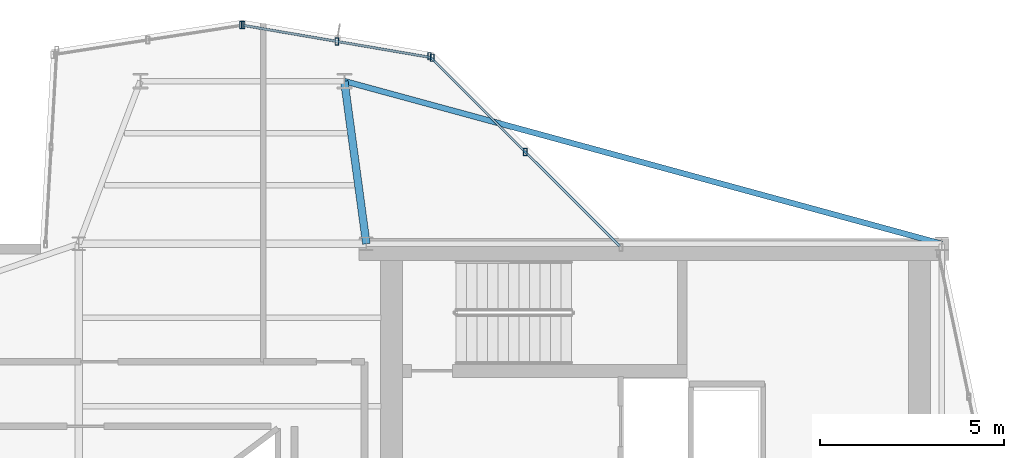
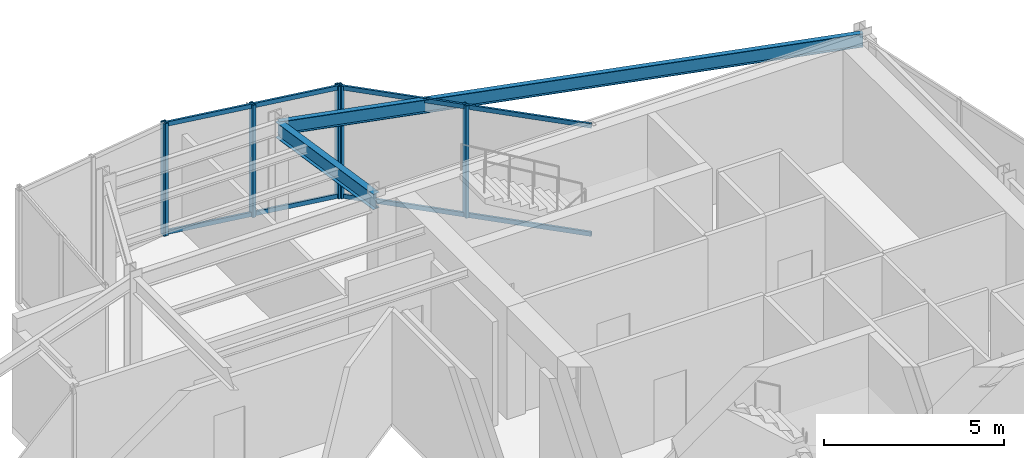
# One storey, part 6 of 13: 10 members, 2 beams, 3 elements without a shape of their own.
"""IFC4 building model written with IfcOpenShell, lengths in metres."""

from ifc_helpers import new_model, si_unit, direction, frame, origin, origin_2d, place, context, subcontext, project, spatial, hollow_rectangle, i_section, extrude, material, layer, layer_set, material_profile, profile_set, type_object, element, aggregate, save


model = new_model("IFC4")

# Units and contexts
model_context = context("Model", 3, precision=1e-05, world=origin(), true_north=direction((0.0, 1.0)))
body_context = subcontext(model_context, "Body", "Model", "MODEL_VIEW")
ifc_project = project(units=[si_unit("LENGTHUNIT", "METRE"), si_unit("AREAUNIT", "SQUARE_METRE"), si_unit("VOLUMEUNIT", "CUBIC_METRE"), si_unit("PLANEANGLEUNIT", "RADIAN"), si_unit("MASSUNIT", "GRAM", prefix="KILO")], contexts=[model_context])

# Site, building, storey
site_placement = place(None, origin())
site = spatial("IfcSite", under=ifc_project, at=site_placement, CompositionType="ELEMENT")
building_placement = place(site_placement, origin())
building = spatial("IfcBuilding", under=site, at=building_placement, Name="Veymaron Broadcast Tower", CompositionType="ELEMENT")
storey_placement = place(building_placement, frame((0.0, 0.0, 303.300048828125)))
storey = spatial("IfcBuildingStorey", under=building, at=storey_placement, Name="L71", CompositionType="ELEMENT", Elevation=303.300048828125)

# Beams
ifc_material_1 = material(Name="Structural steel ASTM A992 Gr 50", Category="steel")
ifc_material_profile_1 = material_profile(ifc_material_1, i_section(OverallWidth=0.208984375, OverallDepth=0.528076171875, WebThickness=0.009521484375, FlangeThickness=0.01318359375, at=origin_2d()), Name="W530X82")
ifc_profile_set_1 = profile_set([ifc_material_profile_1], Name="Structural steel ASTM A992 Gr 50")
beam_type_1 = type_object("IfcBeamType", Name="BM-FG4", PredefinedType="BEAM", material=ifc_profile_set_1)
beam_1_placement = place(storey_placement, frame((39.0, 32.0, 3.5458984375), z_axis=(-0.134286101992, 0.990942603187, 0.0), x_axis=(-0.990942603187, -0.134286101992, 0.0)))
element("IfcBeam", 1, at=beam_1_placement, inside=storey, type_object=beam_type_1, Name="L71 primary structural floor girder", PredefinedType="BEAM", context=body_context, shape_type="SweptSolid", body=[
    extrude(i_section(OverallWidth=0.208984375, OverallDepth=0.528076171875, WebThickness=0.009521484375, FlangeThickness=0.01318359375, at=origin_2d()), origin(), (0.0, 0.0, 1.0), 4.452392578125),
])
ifc_material_profile_2 = material_profile(ifc_material_1, i_section(OverallWidth=0.154052734375, OverallDepth=0.458984375, WebThickness=0.009033203125, FlangeThickness=0.015380859375, at=origin_2d()), Name="W460X68")
ifc_profile_set_2 = profile_set([ifc_material_profile_2], Name="Structural steel ASTM A992 Gr 50")
beam_type_2 = type_object("IfcBeamType", Name="BM-SP2", PredefinedType="SPANDREL", material=ifc_profile_set_2)
beam_2_placement = place(storey_placement, frame((54.60009765625, 32.0, 3.58056640625), z_axis=(-0.964847335687, 0.262810994477, 0.0), x_axis=(-0.262810994477, -0.964847335687, 0.0)))
element("IfcBeam", 2, at=beam_2_placement, inside=storey, type_object=beam_type_2, Name="L71 primary structural floor girder", PredefinedType="SPANDREL", context=body_context, shape_type="SweptSolid", body=[
    extrude(i_section(OverallWidth=0.154052734375, OverallDepth=0.458984375, WebThickness=0.009033203125, FlangeThickness=0.015380859375, at=origin_2d()), origin(), (0.0, 0.0, 1.0), 16.7880859375),
])

# Curtain wall, members
ifc_material_2 = material(Name="Anodised aluminium AA 6063-T6 and laminated low-E dark glass", Category="aluminium")
ifc_layer = layer(ifc_material_2, 0.179931640625)
ifc_layer_set = layer_set([ifc_layer], Name="Anodised aluminium AA 6063-T6 and laminated low-E dark glass")
curtain_wall_type = type_object("IfcCurtainWallType", Name="CW-SYS-06", PredefinedType="NOTDEFINED", material=ifc_layer_set)
curtain_wall_1_placement = place(storey_placement, origin())
curtain_wall_1 = element("IfcCurtainWall", 3, at=curtain_wall_1_placement, inside=storey, type_object=curtain_wall_type, Name="L71 dark-glass curtain wall CW-L71-E5-1", PredefinedType="NOTDEFINED")
ifc_material_3 = material(Name="Anodised aluminium AA 6063-T6", Category="aluminium")
ifc_material_profile_3 = material_profile(ifc_material_3, hollow_rectangle(XDim=0.10009765625, YDim=0.199951171875, WallThickness=0.010009765625, at=origin_2d()), Name="RHS200X100X10")
ifc_profile_set_3 = profile_set([ifc_material_profile_3], Name="Anodised aluminium AA 6063-T6")
member_type_1 = type_object("IfcMemberType", Name="CW-MUL-01", PredefinedType="MULLION", material=ifc_profile_set_3)
member_1_placement = place(storey_placement, frame((43.3056640625, 34.493408203125, 0.0), z_axis=(0.0, 0.0, 1.0), x_axis=(1.0, 0.0, 0.0)))
member_1 = element("IfcMember", 4, at=member_1_placement, type_object=member_type_1, Name="CW-L71-E5-1 mullion 1", PredefinedType="MULLION", context=body_context, shape_type="SweptSolid", body=[
    extrude(hollow_rectangle(XDim=0.10009765625, YDim=0.199951171875, WallThickness=0.010009765625, at=origin_2d()), origin(), (0.0, 0.0, 1.0), 3.81005859375),
])
member_2_placement = place(storey_placement, frame((40.711181640625, 37.085693359375, 0.0), z_axis=(0.0, 0.0, 1.0), x_axis=(1.0, 0.0, 0.0)))
member_2 = element("IfcMember", 5, at=member_2_placement, type_object=member_type_1, Name="CW-L71-E5-1 mullion 2", PredefinedType="MULLION", context=body_context, shape_type="SweptSolid", body=[
    extrude(hollow_rectangle(XDim=0.10009765625, YDim=0.199951171875, WallThickness=0.010009765625, at=origin_2d()), origin(), (0.0, 0.0, 1.0), 3.81005859375),
])

curtain_wall_2_placement = place(storey_placement, origin())
curtain_wall_2 = element("IfcCurtainWall", 6, at=curtain_wall_2_placement, inside=storey, type_object=curtain_wall_type, Name="L71 dark-glass curtain wall CW-L71-E6-1", PredefinedType="NOTDEFINED")
member_3_placement = place(storey_placement, frame((40.78662109375, 37.046875, 0.0), z_axis=(0.0, 0.0, 1.0), x_axis=(1.0, 0.0, 0.0)))
member_3 = element("IfcMember", 7, at=member_3_placement, type_object=member_type_1, Name="CW-L71-E6-1 mullion 0", PredefinedType="MULLION", context=body_context, shape_type="SweptSolid", body=[
    extrude(hollow_rectangle(XDim=0.10009765625, YDim=0.199951171875, WallThickness=0.010009765625, at=origin_2d()), origin(), (0.0, 0.0, 1.0), 3.81005859375),
])
member_4_placement = place(storey_placement, frame((38.199951171875, 37.489013671875, 0.0), z_axis=(0.0, 0.0, 1.0), x_axis=(1.0, 0.0, 0.0)))
member_4 = element("IfcMember", 8, at=member_4_placement, type_object=member_type_1, Name="CW-L71-E6-1 mullion 1", PredefinedType="MULLION", context=body_context, shape_type="SweptSolid", body=[
    extrude(hollow_rectangle(XDim=0.10009765625, YDim=0.199951171875, WallThickness=0.010009765625, at=origin_2d()), origin(), (0.0, 0.0, 1.0), 3.81005859375),
])
member_5_placement = place(storey_placement, frame((35.613525390625, 37.93115234375, 0.0), z_axis=(0.0, 0.0, 1.0), x_axis=(1.0, 0.0, 0.0)))
member_5 = element("IfcMember", 9, at=member_5_placement, type_object=member_type_1, Name="CW-L71-E6-1 mullion 2", PredefinedType="MULLION", context=body_context, shape_type="SweptSolid", body=[
    extrude(hollow_rectangle(XDim=0.10009765625, YDim=0.199951171875, WallThickness=0.010009765625, at=origin_2d()), origin(), (0.0, 0.0, 1.0), 3.81005859375),
])

# Curtain wall, member
curtain_wall_3_placement = place(storey_placement, origin())
curtain_wall_3 = element("IfcCurtainWall", 10, at=curtain_wall_3_placement, inside=storey, type_object=curtain_wall_type, Name="L71 dark-glass curtain wall CW-L71-E7-1", PredefinedType="NOTDEFINED")
member_6_placement = place(storey_placement, frame((35.65869140625, 37.930908203125, 0.0), z_axis=(0.0, 0.0, 1.0), x_axis=(1.0, 0.0, 0.0)))
member_6 = element("IfcMember", 11, at=member_6_placement, type_object=member_type_1, Name="CW-L71-E7-1 mullion 0", PredefinedType="MULLION", context=body_context, shape_type="SweptSolid", body=[
    extrude(hollow_rectangle(XDim=0.10009765625, YDim=0.199951171875, WallThickness=0.010009765625, at=origin_2d()), origin(), (0.0, 0.0, 1.0), 3.81005859375),
])
aggregate(curtain_wall_3, [member_6])

# Member
ifc_material_profile_4 = material_profile(ifc_material_3, hollow_rectangle(XDim=0.06494140625, YDim=0.14990234375, WallThickness=0.00390625, at=origin_2d()), Name="AL150X65X4")
ifc_profile_set_4 = profile_set([ifc_material_profile_4], Name="Anodised aluminium AA 6063-T6")
member_type_2 = type_object("IfcMemberType", Name="CW-TRN-01", PredefinedType="USERDEFINED", material=ifc_profile_set_4)
member_7_placement = place(storey_placement, frame((45.864990234375, 31.936279296875, 0.070068359375), z_axis=(-0.70739352698, 0.706819919064, 0.0), x_axis=(-0.706819919064, -0.70739352698, 0.0)))
member_7 = element("IfcMember", 12, at=member_7_placement, type_object=member_type_2, Name="CW-L71-E5-1 transom B", ObjectType="TRANSOM", PredefinedType="USERDEFINED", context=body_context, shape_type="SweptSolid", body=[
    extrude(hollow_rectangle(XDim=0.06494140625, YDim=0.14990234375, WallThickness=0.00390625, at=origin_2d()), origin(), (0.0, 0.0, 1.0), 7.235595703125),
])

member_8_placement = place(storey_placement, frame((45.864990234375, 31.936279296875, 3.739990234375), z_axis=(-0.70739352698, 0.706819919064, 0.0), x_axis=(-0.706819919064, -0.70739352698, 0.0)))
member_8 = element("IfcMember", 13, at=member_8_placement, type_object=member_type_2, Name="CW-L71-E5-1 transom T", ObjectType="TRANSOM", PredefinedType="USERDEFINED", context=body_context, shape_type="SweptSolid", body=[
    extrude(hollow_rectangle(XDim=0.06494140625, YDim=0.14990234375, WallThickness=0.00390625, at=origin_2d()), origin(), (0.0, 0.0, 1.0), 7.235595703125),
])

aggregate(curtain_wall_1, [member_1, member_2, member_7, member_8])

member_9_placement = place(storey_placement, frame((40.7373046875, 37.05517578125, 0.070068359375), z_axis=(-0.98569437166, 0.168542593066, 0.0), x_axis=(-0.168542593066, -0.98569437166, 0.0)))
member_9 = element("IfcMember", 14, at=member_9_placement, type_object=member_type_2, Name="CW-L71-E6-1 transom B", ObjectType="TRANSOM", PredefinedType="USERDEFINED", context=body_context, shape_type="SweptSolid", body=[
    extrude(hollow_rectangle(XDim=0.06494140625, YDim=0.14990234375, WallThickness=0.00390625, at=origin_2d()), origin(), (0.0, 0.0, 1.0), 5.148193359375),
])

member_10_placement = place(storey_placement, frame((40.7373046875, 37.05517578125, 3.739990234375), z_axis=(-0.98569437166, 0.168542593066, 0.0), x_axis=(-0.168542593066, -0.98569437166, 0.0)))
member_10 = element("IfcMember", 15, at=member_10_placement, type_object=member_type_2, Name="CW-L71-E6-1 transom T", ObjectType="TRANSOM", PredefinedType="USERDEFINED", context=body_context, shape_type="SweptSolid", body=[
    extrude(hollow_rectangle(XDim=0.06494140625, YDim=0.14990234375, WallThickness=0.00390625, at=origin_2d()), origin(), (0.0, 0.0, 1.0), 5.148193359375),
])

aggregate(curtain_wall_2, [member_3, member_4, member_5, member_9, member_10])

save(model, "model.ifc")
